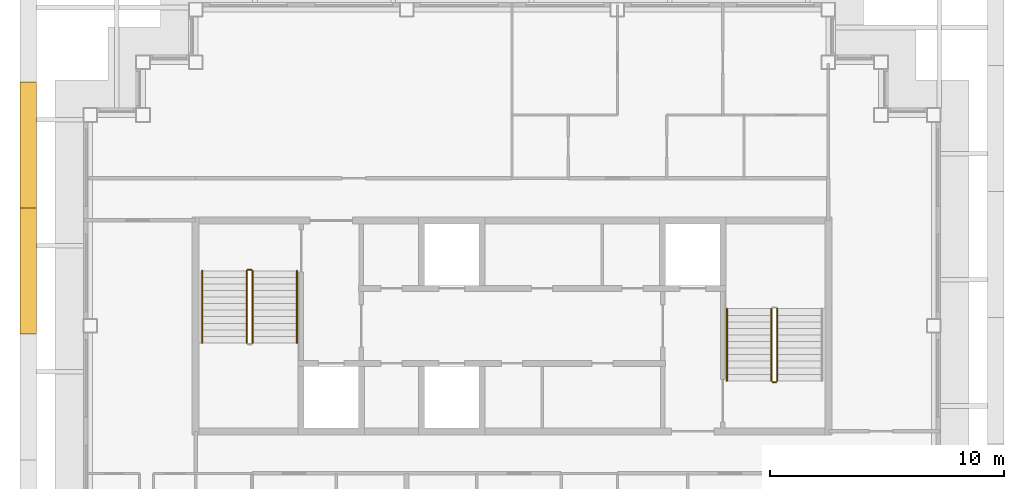
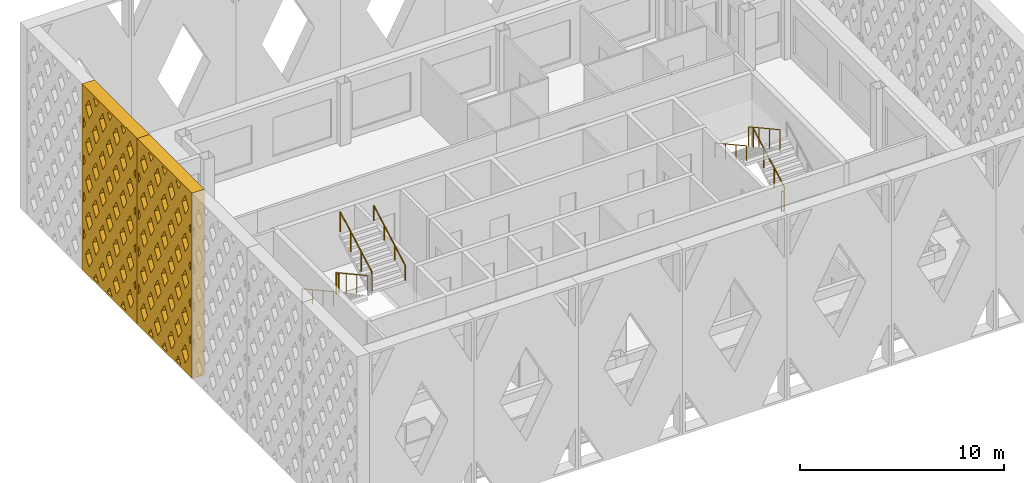
# One storey, part 10 of 13: 9 railings, 2 shading devices.
"""IFC4 building model written with IfcOpenShell, lengths in metres."""

from ifc_helpers import new_model, si_unit, direction, frame, origin, origin_2d, place, context, subcontext, project, spatial, polyline, circle, outline, extrude, material, type_object, element, save


model = new_model("IFC4")

# Units and contexts
model_context = context("Model", 3, precision=1e-05, world=origin(), true_north=direction((0.0, 1.0)))
body_context = subcontext(model_context, "Body", "Model", "MODEL_VIEW")
ifc_project = project(units=[si_unit("LENGTHUNIT", "METRE"), si_unit("AREAUNIT", "SQUARE_METRE"), si_unit("VOLUMEUNIT", "CUBIC_METRE"), si_unit("PLANEANGLEUNIT", "RADIAN"), si_unit("MASSUNIT", "GRAM", prefix="KILO")], contexts=[model_context])

# Site, building, storey
site_placement = place(None, origin())
site = spatial("IfcSite", under=ifc_project, at=site_placement, CompositionType="ELEMENT")
building_placement = place(site_placement, origin())
building = spatial("IfcBuilding", under=site, at=building_placement, Name="Caravel Reach Hotel and Residences", CompositionType="ELEMENT")
storey_placement = place(building_placement, frame((0.0, 0.0, 294.5)))
storey = spatial("IfcBuildingStorey", under=building, at=storey_placement, Name="L75", CompositionType="ELEMENT", Elevation=294.5)

# Shading devices
ifc_material_1 = material(Name="Black powder-coated aluminium", Category="aluminium")
shading_device_type = type_object("IfcShadingDeviceType", Name="Diamond lattice screen panel 5383 x 11100", PredefinedType="USERDEFINED", material=ifc_material_1)
shading_device_1_placement = place(storey_placement, frame((11.199951171875, 37.416748046875, 0.0), z_axis=(-1.0, 0.0, 0.0), x_axis=(0.0, -1.0, 0.0)))
element("IfcShadingDevice", 1, at=shading_device_1_placement, inside=storey, type_object=shading_device_type, Name="Lattice screen L75-L77 3.2", ObjectType="SCREEN", PredefinedType="USERDEFINED", context=body_context, shape_type="SweptSolid", body=[
    extrude(outline(polyline([(0.0, 0.0), (5.38330078125, 0.0), (5.38330078125, 11.10009765625), (0.0, 11.10009765625), (0.0, 0.0)]), holes=[polyline([(0.338134765625, 2.219970703125), (0.14990234375, 2.530517578125), (0.14990234375, 1.90966796875), (0.338134765625, 2.219970703125)]), polyline([(0.338134765625, 4.43994140625), (0.14990234375, 4.75048828125), (0.14990234375, 4.129638671875), (0.338134765625, 4.43994140625)]), polyline([(0.338134765625, 6.659912109375), (0.14990234375, 6.970458984375), (0.14990234375, 6.349609375), (0.338134765625, 6.659912109375)]), polyline([(0.338134765625, 8.8798828125), (0.14990234375, 9.1904296875), (0.14990234375, 8.569580078125), (0.338134765625, 8.8798828125)]), polyline([(0.6728515625, 1.667724609375), (0.334716796875, 1.110107421875), (0.6728515625, 0.55224609375), (1.010986328125, 1.110107421875), (0.6728515625, 1.667724609375)]), polyline([(0.6728515625, 3.887939453125), (0.334716796875, 3.330078125), (0.6728515625, 2.772216796875), (1.010986328125, 3.330078125), (0.6728515625, 3.887939453125)]), polyline([(0.6728515625, 6.10791015625), (0.334716796875, 5.550048828125), (0.6728515625, 4.9921875), (1.010986328125, 5.550048828125), (0.6728515625, 6.10791015625)]), polyline([(0.6728515625, 8.327880859375), (0.334716796875, 7.77001953125), (0.6728515625, 7.212158203125), (1.010986328125, 7.77001953125), (0.6728515625, 8.327880859375)]), polyline([(0.6728515625, 10.5478515625), (0.334716796875, 9.989990234375), (0.6728515625, 9.43212890625), (1.010986328125, 9.989990234375), (0.6728515625, 10.5478515625)]), polyline([(1.345947265625, 0.557861328125), (1.0986328125, 0.14990234375), (1.593017578125, 0.14990234375), (1.345947265625, 0.557861328125)]), polyline([(1.345947265625, 2.77783203125), (1.007568359375, 2.219970703125), (1.345947265625, 1.662109375), (1.68408203125, 2.219970703125), (1.345947265625, 2.77783203125)]), polyline([(1.345947265625, 4.997802734375), (1.007568359375, 4.43994140625), (1.345947265625, 3.882080078125), (1.68408203125, 4.43994140625), (1.345947265625, 4.997802734375)]), polyline([(1.345947265625, 7.2177734375), (1.007568359375, 6.659912109375), (1.345947265625, 6.10205078125), (1.68408203125, 6.659912109375), (1.345947265625, 7.2177734375)]), polyline([(1.345947265625, 9.437744140625), (1.007568359375, 8.8798828125), (1.345947265625, 8.322265625), (1.68408203125, 8.8798828125), (1.345947265625, 9.437744140625)]), polyline([(1.345947265625, 10.542236328125), (1.593017578125, 10.949951171875), (1.0986328125, 10.949951171875), (1.345947265625, 10.542236328125)]), polyline([(2.018798828125, 1.667724609375), (1.6806640625, 1.110107421875), (2.018798828125, 0.55224609375), (2.35693359375, 1.110107421875), (2.018798828125, 1.667724609375)]), polyline([(2.018798828125, 3.887939453125), (1.6806640625, 3.330078125), (2.018798828125, 2.772216796875), (2.35693359375, 3.330078125), (2.018798828125, 3.887939453125)]), polyline([(2.018798828125, 6.10791015625), (1.6806640625, 5.550048828125), (2.018798828125, 4.9921875), (2.35693359375, 5.550048828125), (2.018798828125, 6.10791015625)]), polyline([(2.018798828125, 8.327880859375), (1.6806640625, 7.77001953125), (2.018798828125, 7.212158203125), (2.35693359375, 7.77001953125), (2.018798828125, 8.327880859375)]), polyline([(2.018798828125, 10.5478515625), (1.6806640625, 9.989990234375), (2.018798828125, 9.43212890625), (2.35693359375, 9.989990234375), (2.018798828125, 10.5478515625)]), polyline([(2.691650390625, 0.557861328125), (2.4443359375, 0.14990234375), (2.93896484375, 0.14990234375), (2.691650390625, 0.557861328125)]), polyline([(2.691650390625, 2.77783203125), (2.353515625, 2.219970703125), (2.691650390625, 1.662109375), (3.02978515625, 2.219970703125), (2.691650390625, 2.77783203125)]), polyline([(2.691650390625, 4.997802734375), (2.353515625, 4.43994140625), (2.691650390625, 3.882080078125), (3.02978515625, 4.43994140625), (2.691650390625, 4.997802734375)]), polyline([(2.691650390625, 7.2177734375), (2.353515625, 6.659912109375), (2.691650390625, 6.10205078125), (3.02978515625, 6.659912109375), (2.691650390625, 7.2177734375)]), polyline([(2.691650390625, 9.437744140625), (2.353515625, 8.8798828125), (2.691650390625, 8.322265625), (3.02978515625, 8.8798828125), (2.691650390625, 9.437744140625)]), polyline([(2.691650390625, 10.542236328125), (2.93896484375, 10.949951171875), (2.4443359375, 10.949951171875), (2.691650390625, 10.542236328125)]), polyline([(3.364501953125, 1.667724609375), (3.0263671875, 1.110107421875), (3.364501953125, 0.55224609375), (3.702880859375, 1.110107421875), (3.364501953125, 1.667724609375)]), polyline([(3.364501953125, 3.887939453125), (3.0263671875, 3.330078125), (3.364501953125, 2.772216796875), (3.702880859375, 3.330078125), (3.364501953125, 3.887939453125)]), polyline([(3.364501953125, 6.10791015625), (3.0263671875, 5.550048828125), (3.364501953125, 4.9921875), (3.702880859375, 5.550048828125), (3.364501953125, 6.10791015625)]), polyline([(3.364501953125, 8.327880859375), (3.0263671875, 7.77001953125), (3.364501953125, 7.212158203125), (3.702880859375, 7.77001953125), (3.364501953125, 8.327880859375)]), polyline([(3.364501953125, 10.5478515625), (3.0263671875, 9.989990234375), (3.364501953125, 9.43212890625), (3.702880859375, 9.989990234375), (3.364501953125, 10.5478515625)]), polyline([(4.03759765625, 0.557861328125), (3.790283203125, 0.14990234375), (4.28466796875, 0.14990234375), (4.03759765625, 0.557861328125)]), polyline([(4.03759765625, 2.77783203125), (3.69921875, 2.219970703125), (4.03759765625, 1.662109375), (4.375732421875, 2.219970703125), (4.03759765625, 2.77783203125)]), polyline([(4.03759765625, 4.997802734375), (3.69921875, 4.43994140625), (4.03759765625, 3.882080078125), (4.375732421875, 4.43994140625), (4.03759765625, 4.997802734375)]), polyline([(4.03759765625, 7.2177734375), (3.69921875, 6.659912109375), (4.03759765625, 6.10205078125), (4.375732421875, 6.659912109375), (4.03759765625, 7.2177734375)]), polyline([(4.03759765625, 9.437744140625), (3.69921875, 8.8798828125), (4.03759765625, 8.322265625), (4.375732421875, 8.8798828125), (4.03759765625, 9.437744140625)]), polyline([(4.03759765625, 10.542236328125), (4.28466796875, 10.949951171875), (3.790283203125, 10.949951171875), (4.03759765625, 10.542236328125)]), polyline([(4.71044921875, 1.667724609375), (4.372314453125, 1.110107421875), (4.71044921875, 0.55224609375), (5.048583984375, 1.110107421875), (4.71044921875, 1.667724609375)]), polyline([(4.71044921875, 3.887939453125), (4.372314453125, 3.330078125), (4.71044921875, 2.772216796875), (5.048583984375, 3.330078125), (4.71044921875, 3.887939453125)]), polyline([(4.71044921875, 6.10791015625), (4.372314453125, 5.550048828125), (4.71044921875, 4.9921875), (5.048583984375, 5.550048828125), (4.71044921875, 6.10791015625)]), polyline([(4.71044921875, 8.327880859375), (4.372314453125, 7.77001953125), (4.71044921875, 7.212158203125), (5.048583984375, 7.77001953125), (4.71044921875, 8.327880859375)]), polyline([(4.71044921875, 10.5478515625), (4.372314453125, 9.989990234375), (4.71044921875, 9.43212890625), (5.048583984375, 9.989990234375), (4.71044921875, 10.5478515625)]), polyline([(5.045166015625, 2.219970703125), (5.2333984375, 1.90966796875), (5.2333984375, 2.530517578125), (5.045166015625, 2.219970703125)]), polyline([(5.045166015625, 4.43994140625), (5.2333984375, 4.129638671875), (5.2333984375, 4.75048828125), (5.045166015625, 4.43994140625)]), polyline([(5.045166015625, 6.659912109375), (5.2333984375, 6.349609375), (5.2333984375, 6.970458984375), (5.045166015625, 6.659912109375)]), polyline([(5.045166015625, 8.8798828125), (5.2333984375, 8.569580078125), (5.2333984375, 9.1904296875), (5.045166015625, 8.8798828125)])]), origin(), (0.0, 0.0, 1.0), 0.699951171875),
])
shading_device_2_placement = place(storey_placement, frame((11.199951171875, 32.033447265625, 0.0), z_axis=(-1.0, 0.0, 0.0), x_axis=(0.0, -1.0, 0.0)))
element("IfcShadingDevice", 2, at=shading_device_2_placement, inside=storey, type_object=shading_device_type, Name="Lattice screen L75-L77 3.3", ObjectType="SCREEN", PredefinedType="USERDEFINED", context=body_context, shape_type="SweptSolid", body=[
    extrude(outline(polyline([(0.0, 0.0), (5.38330078125, 0.0), (5.38330078125, 11.10009765625), (0.0, 11.10009765625), (0.0, 0.0)]), holes=[polyline([(0.338134765625, 2.219970703125), (0.14990234375, 2.530517578125), (0.14990234375, 1.90966796875), (0.338134765625, 2.219970703125)]), polyline([(0.338134765625, 4.43994140625), (0.14990234375, 4.75048828125), (0.14990234375, 4.129638671875), (0.338134765625, 4.43994140625)]), polyline([(0.338134765625, 6.659912109375), (0.14990234375, 6.970458984375), (0.14990234375, 6.349609375), (0.338134765625, 6.659912109375)]), polyline([(0.338134765625, 8.8798828125), (0.14990234375, 9.1904296875), (0.14990234375, 8.569580078125), (0.338134765625, 8.8798828125)]), polyline([(0.6728515625, 1.667724609375), (0.334716796875, 1.110107421875), (0.6728515625, 0.55224609375), (1.010986328125, 1.110107421875), (0.6728515625, 1.667724609375)]), polyline([(0.6728515625, 3.887939453125), (0.334716796875, 3.330078125), (0.6728515625, 2.772216796875), (1.010986328125, 3.330078125), (0.6728515625, 3.887939453125)]), polyline([(0.6728515625, 6.10791015625), (0.334716796875, 5.550048828125), (0.6728515625, 4.9921875), (1.010986328125, 5.550048828125), (0.6728515625, 6.10791015625)]), polyline([(0.6728515625, 8.327880859375), (0.334716796875, 7.77001953125), (0.6728515625, 7.212158203125), (1.010986328125, 7.77001953125), (0.6728515625, 8.327880859375)]), polyline([(0.6728515625, 10.5478515625), (0.334716796875, 9.989990234375), (0.6728515625, 9.43212890625), (1.010986328125, 9.989990234375), (0.6728515625, 10.5478515625)]), polyline([(1.345947265625, 0.557861328125), (1.0986328125, 0.14990234375), (1.593017578125, 0.14990234375), (1.345947265625, 0.557861328125)]), polyline([(1.345947265625, 2.77783203125), (1.007568359375, 2.219970703125), (1.345947265625, 1.662109375), (1.68408203125, 2.219970703125), (1.345947265625, 2.77783203125)]), polyline([(1.345947265625, 4.997802734375), (1.007568359375, 4.43994140625), (1.345947265625, 3.882080078125), (1.68408203125, 4.43994140625), (1.345947265625, 4.997802734375)]), polyline([(1.345947265625, 7.2177734375), (1.007568359375, 6.659912109375), (1.345947265625, 6.10205078125), (1.68408203125, 6.659912109375), (1.345947265625, 7.2177734375)]), polyline([(1.345947265625, 9.437744140625), (1.007568359375, 8.8798828125), (1.345947265625, 8.322265625), (1.68408203125, 8.8798828125), (1.345947265625, 9.437744140625)]), polyline([(1.345947265625, 10.542236328125), (1.593017578125, 10.949951171875), (1.0986328125, 10.949951171875), (1.345947265625, 10.542236328125)]), polyline([(2.018798828125, 1.667724609375), (1.6806640625, 1.110107421875), (2.018798828125, 0.55224609375), (2.35693359375, 1.110107421875), (2.018798828125, 1.667724609375)]), polyline([(2.018798828125, 3.887939453125), (1.6806640625, 3.330078125), (2.018798828125, 2.772216796875), (2.35693359375, 3.330078125), (2.018798828125, 3.887939453125)]), polyline([(2.018798828125, 6.10791015625), (1.6806640625, 5.550048828125), (2.018798828125, 4.9921875), (2.35693359375, 5.550048828125), (2.018798828125, 6.10791015625)]), polyline([(2.018798828125, 8.327880859375), (1.6806640625, 7.77001953125), (2.018798828125, 7.212158203125), (2.35693359375, 7.77001953125), (2.018798828125, 8.327880859375)]), polyline([(2.018798828125, 10.5478515625), (1.6806640625, 9.989990234375), (2.018798828125, 9.43212890625), (2.35693359375, 9.989990234375), (2.018798828125, 10.5478515625)]), polyline([(2.691650390625, 0.557861328125), (2.4443359375, 0.14990234375), (2.93896484375, 0.14990234375), (2.691650390625, 0.557861328125)]), polyline([(2.691650390625, 2.77783203125), (2.353515625, 2.219970703125), (2.691650390625, 1.662109375), (3.02978515625, 2.219970703125), (2.691650390625, 2.77783203125)]), polyline([(2.691650390625, 4.997802734375), (2.353515625, 4.43994140625), (2.691650390625, 3.882080078125), (3.02978515625, 4.43994140625), (2.691650390625, 4.997802734375)]), polyline([(2.691650390625, 7.2177734375), (2.353515625, 6.659912109375), (2.691650390625, 6.10205078125), (3.02978515625, 6.659912109375), (2.691650390625, 7.2177734375)]), polyline([(2.691650390625, 9.437744140625), (2.353515625, 8.8798828125), (2.691650390625, 8.322265625), (3.02978515625, 8.8798828125), (2.691650390625, 9.437744140625)]), polyline([(2.691650390625, 10.542236328125), (2.93896484375, 10.949951171875), (2.4443359375, 10.949951171875), (2.691650390625, 10.542236328125)]), polyline([(3.364501953125, 1.667724609375), (3.0263671875, 1.110107421875), (3.364501953125, 0.55224609375), (3.702880859375, 1.110107421875), (3.364501953125, 1.667724609375)]), polyline([(3.364501953125, 3.887939453125), (3.0263671875, 3.330078125), (3.364501953125, 2.772216796875), (3.702880859375, 3.330078125), (3.364501953125, 3.887939453125)]), polyline([(3.364501953125, 6.10791015625), (3.0263671875, 5.550048828125), (3.364501953125, 4.9921875), (3.702880859375, 5.550048828125), (3.364501953125, 6.10791015625)]), polyline([(3.364501953125, 8.327880859375), (3.0263671875, 7.77001953125), (3.364501953125, 7.212158203125), (3.702880859375, 7.77001953125), (3.364501953125, 8.327880859375)]), polyline([(3.364501953125, 10.5478515625), (3.0263671875, 9.989990234375), (3.364501953125, 9.43212890625), (3.702880859375, 9.989990234375), (3.364501953125, 10.5478515625)]), polyline([(4.03759765625, 0.557861328125), (3.790283203125, 0.14990234375), (4.28466796875, 0.14990234375), (4.03759765625, 0.557861328125)]), polyline([(4.03759765625, 2.77783203125), (3.69921875, 2.219970703125), (4.03759765625, 1.662109375), (4.375732421875, 2.219970703125), (4.03759765625, 2.77783203125)]), polyline([(4.03759765625, 4.997802734375), (3.69921875, 4.43994140625), (4.03759765625, 3.882080078125), (4.375732421875, 4.43994140625), (4.03759765625, 4.997802734375)]), polyline([(4.03759765625, 7.2177734375), (3.69921875, 6.659912109375), (4.03759765625, 6.10205078125), (4.375732421875, 6.659912109375), (4.03759765625, 7.2177734375)]), polyline([(4.03759765625, 9.437744140625), (3.69921875, 8.8798828125), (4.03759765625, 8.322265625), (4.375732421875, 8.8798828125), (4.03759765625, 9.437744140625)]), polyline([(4.03759765625, 10.542236328125), (4.28466796875, 10.949951171875), (3.790283203125, 10.949951171875), (4.03759765625, 10.542236328125)]), polyline([(4.71044921875, 1.667724609375), (4.372314453125, 1.110107421875), (4.71044921875, 0.55224609375), (5.048583984375, 1.110107421875), (4.71044921875, 1.667724609375)]), polyline([(4.71044921875, 3.887939453125), (4.372314453125, 3.330078125), (4.71044921875, 2.772216796875), (5.048583984375, 3.330078125), (4.71044921875, 3.887939453125)]), polyline([(4.71044921875, 6.10791015625), (4.372314453125, 5.550048828125), (4.71044921875, 4.9921875), (5.048583984375, 5.550048828125), (4.71044921875, 6.10791015625)]), polyline([(4.71044921875, 8.327880859375), (4.372314453125, 7.77001953125), (4.71044921875, 7.212158203125), (5.048583984375, 7.77001953125), (4.71044921875, 8.327880859375)]), polyline([(4.71044921875, 10.5478515625), (4.372314453125, 9.989990234375), (4.71044921875, 9.43212890625), (5.048583984375, 9.989990234375), (4.71044921875, 10.5478515625)]), polyline([(5.045166015625, 2.219970703125), (5.2333984375, 1.90966796875), (5.2333984375, 2.530517578125), (5.045166015625, 2.219970703125)]), polyline([(5.045166015625, 4.43994140625), (5.2333984375, 4.129638671875), (5.2333984375, 4.75048828125), (5.045166015625, 4.43994140625)]), polyline([(5.045166015625, 6.659912109375), (5.2333984375, 6.349609375), (5.2333984375, 6.970458984375), (5.045166015625, 6.659912109375)]), polyline([(5.045166015625, 8.8798828125), (5.2333984375, 8.569580078125), (5.2333984375, 9.1904296875), (5.045166015625, 8.8798828125)])]), origin(), (0.0, 0.0, 1.0), 0.699951171875),
])

# Railings
ifc_material_2 = material(Name="Steel balustrade with glass infill", Category="steel")
railing_type_1 = type_object("IfcRailingType", Name="Guard 1200", PredefinedType="GUARDRAIL", material=ifc_material_2)
railing_1_placement = place(storey_placement, frame((20.175048828125, 29.35009765625, 0.154052734375)))
element("IfcRailing", 3, at=railing_1_placement, inside=storey, type_object=railing_type_1, Name="L75 ST-A stair guard 1", PredefinedType="GUARDRAIL", context=body_context, shape_type="SweptSolid", body=[
    extrude(circle(Radius=0.02392578125, at=origin_2d()), frame((0.0, 0.0, 1.17578125), z_axis=(0.0, -0.875975380505, 0.482355815502), x_axis=(1.0, 0.0, 0.0)), (0.0, 0.0, 1.0), 3.51611328125),
    extrude(circle(Radius=0.02099609375, at=origin_2d()), origin(), (0.0, 0.0, 1.0), 1.15185546875),
    extrude(circle(Radius=0.02099609375, at=origin_2d()), frame((0.0, -1.026611328125, 0.5654296875)), (0.0, 0.0, 1.0), 1.15185546875),
    extrude(circle(Radius=0.02099609375, at=origin_2d()), frame((0.0, -2.053466796875, 1.130615234375)), (0.0, 0.0, 1.0), 1.15185546875),
    extrude(circle(Radius=0.02099609375, at=origin_2d()), frame((0.0, -3.080078125, 1.696044921875)), (0.0, 0.0, 1.0), 1.15185546875),
])
railing_2_placement = place(storey_placement, frame((20.425048828125, 26.27001953125, 2.004150390625)))
element("IfcRailing", 4, at=railing_2_placement, inside=storey, type_object=railing_type_1, Name="L75 ST-A stair guard 3", PredefinedType="GUARDRAIL", context=body_context, shape_type="SweptSolid", body=[
    extrude(circle(Radius=0.02392578125, at=origin_2d()), frame((0.0, 0.0, 1.17578125), z_axis=(0.0, 0.876004717809, 0.482302534076), x_axis=(-1.0, 0.0, 0.0)), (0.0, 0.0, 1.0), 3.51611328125),
    extrude(circle(Radius=0.02099609375, at=origin_2d()), origin(), (0.0, 0.0, 1.0), 1.15185546875),
    extrude(circle(Radius=0.02099609375, at=origin_2d()), frame((0.0, 1.026611328125, 0.565185546875)), (0.0, 0.0, 1.0), 1.15185546875),
    extrude(circle(Radius=0.02099609375, at=origin_2d()), frame((0.0, 2.053466796875, 1.130615234375)), (0.0, 0.0, 1.0), 1.15185546875),
    extrude(circle(Radius=0.02099609375, at=origin_2d()), frame((0.0, 3.080078125, 1.69580078125)), (0.0, 0.0, 1.0), 1.15185546875),
])
railing_3_placement = place(storey_placement, frame((20.22509765625, 29.39990234375, 0.0)))
element("IfcRailing", 5, at=railing_3_placement, inside=storey, type_object=railing_type_1, Name="L75 ST-A stair guard 4", PredefinedType="GUARDRAIL", context=body_context, shape_type="SweptSolid", body=[
    extrude(circle(Radius=0.02392578125, at=origin_2d()), frame((0.0, 0.0, 1.17578125), z_axis=(1.0, 0.0, 0.0), x_axis=(0.0, 1.0, 0.0)), (0.0, 0.0, 1.0), 0.14990234375),
    extrude(circle(Radius=0.02099609375, at=origin_2d()), origin(), (0.0, 0.0, 1.0), 1.15185546875),
    extrude(circle(Radius=0.02099609375, at=origin_2d()), frame((0.14990234375, 0.0, 0.0)), (0.0, 0.0, 1.0), 1.15185546875),
])
railing_4_placement = place(storey_placement, frame((42.824951171875, 24.64990234375, 0.154052734375)))
element("IfcRailing", 6, at=railing_4_placement, inside=storey, type_object=railing_type_1, Name="L75 ST-B stair guard 1", PredefinedType="GUARDRAIL", context=body_context, shape_type="SweptSolid", body=[
    extrude(circle(Radius=0.02392578125, at=origin_2d()), frame((0.0, 0.0, 1.17578125), z_axis=(0.0, 0.875975380505, 0.482355815502), x_axis=(-1.0, 0.0, 0.0)), (0.0, 0.0, 1.0), 3.51611328125),
    extrude(circle(Radius=0.02099609375, at=origin_2d()), origin(), (0.0, 0.0, 1.0), 1.15185546875),
    extrude(circle(Radius=0.02099609375, at=origin_2d()), frame((0.0, 1.026611328125, 0.5654296875)), (0.0, 0.0, 1.0), 1.15185546875),
    extrude(circle(Radius=0.02099609375, at=origin_2d()), frame((0.0, 2.053466796875, 1.130615234375)), (0.0, 0.0, 1.0), 1.15185546875),
    extrude(circle(Radius=0.02099609375, at=origin_2d()), frame((0.0, 3.080078125, 1.696044921875)), (0.0, 0.0, 1.0), 1.15185546875),
])
railing_5_placement = place(storey_placement, frame((42.574951171875, 27.72998046875, 2.004150390625)))
element("IfcRailing", 7, at=railing_5_placement, inside=storey, type_object=railing_type_1, Name="L75 ST-B stair guard 3", PredefinedType="GUARDRAIL", context=body_context, shape_type="SweptSolid", body=[
    extrude(circle(Radius=0.02392578125, at=origin_2d()), frame((0.0, 0.0, 1.17578125), z_axis=(0.0, -0.876004717809, 0.482302534076), x_axis=(1.0, 0.0, 0.0)), (0.0, 0.0, 1.0), 3.51611328125),
    extrude(circle(Radius=0.02099609375, at=origin_2d()), origin(), (0.0, 0.0, 1.0), 1.15185546875),
    extrude(circle(Radius=0.02099609375, at=origin_2d()), frame((0.0, -1.026611328125, 0.565185546875)), (0.0, 0.0, 1.0), 1.15185546875),
    extrude(circle(Radius=0.02099609375, at=origin_2d()), frame((0.0, -2.053466796875, 1.130615234375)), (0.0, 0.0, 1.0), 1.15185546875),
    extrude(circle(Radius=0.02099609375, at=origin_2d()), frame((0.0, -3.080078125, 1.69580078125)), (0.0, 0.0, 1.0), 1.15185546875),
])
railing_6_placement = place(storey_placement, frame((42.77490234375, 24.60009765625, 0.0)))
element("IfcRailing", 8, at=railing_6_placement, inside=storey, type_object=railing_type_1, Name="L75 ST-B stair guard 4", PredefinedType="GUARDRAIL", context=body_context, shape_type="SweptSolid", body=[
    extrude(circle(Radius=0.02392578125, at=origin_2d()), frame((0.0, 0.0, 1.17578125), z_axis=(-1.0, 0.0, 0.0), x_axis=(0.0, -1.0, 0.0)), (0.0, 0.0, 1.0), 0.14990234375),
    extrude(circle(Radius=0.02099609375, at=origin_2d()), origin(), (0.0, 0.0, 1.0), 1.15185546875),
    extrude(circle(Radius=0.02099609375, at=origin_2d()), frame((-0.14990234375, 0.0, 0.0)), (0.0, 0.0, 1.0), 1.15185546875),
])
ifc_material_3 = material(Name="Stainless steel handrail", Category="steel")
railing_type_2 = type_object("IfcRailingType", Name="Handrail 900", PredefinedType="HANDRAIL", material=ifc_material_3)
railing_7_placement = place(storey_placement, frame((18.27490234375, 29.35009765625, 0.154052734375)))
element("IfcRailing", 9, at=railing_7_placement, inside=storey, type_object=railing_type_2, Name="L75 ST-A stair handrail 1", PredefinedType="HANDRAIL", context=body_context, shape_type="SweptSolid", body=[
    extrude(circle(Radius=0.02392578125, at=origin_2d()), frame((0.0, 0.0, 0.8759765625), z_axis=(0.0, -0.875975380505, 0.482355815502), x_axis=(1.0, 0.0, 0.0)), (0.0, 0.0, 1.0), 3.51611328125),
    extrude(circle(Radius=0.02099609375, at=origin_2d()), origin(), (0.0, 0.0, 1.0), 0.851806640625),
    extrude(circle(Radius=0.02099609375, at=origin_2d()), frame((0.0, -1.026611328125, 0.5654296875)), (0.0, 0.0, 1.0), 0.851806640625),
    extrude(circle(Radius=0.02099609375, at=origin_2d()), frame((0.0, -2.053466796875, 1.130615234375)), (0.0, 0.0, 1.0), 0.851806640625),
    extrude(circle(Radius=0.02099609375, at=origin_2d()), frame((0.0, -3.080078125, 1.696044921875)), (0.0, 0.0, 1.0), 0.851806640625),
])
railing_8_placement = place(storey_placement, frame((22.324951171875, 26.27001953125, 2.004150390625)))
element("IfcRailing", 10, at=railing_8_placement, inside=storey, type_object=railing_type_2, Name="L75 ST-A stair handrail 2", PredefinedType="HANDRAIL", context=body_context, shape_type="SweptSolid", body=[
    extrude(circle(Radius=0.02392578125, at=origin_2d()), frame((0.0, 0.0, 0.8759765625), z_axis=(0.0, 0.876004717809, 0.482302534076), x_axis=(-1.0, 0.0, 0.0)), (0.0, 0.0, 1.0), 3.51611328125),
    extrude(circle(Radius=0.02099609375, at=origin_2d()), origin(), (0.0, 0.0, 1.0), 0.851806640625),
    extrude(circle(Radius=0.02099609375, at=origin_2d()), frame((0.0, 1.026611328125, 0.565185546875)), (0.0, 0.0, 1.0), 0.851806640625),
    extrude(circle(Radius=0.02099609375, at=origin_2d()), frame((0.0, 2.053466796875, 1.130615234375)), (0.0, 0.0, 1.0), 0.851806640625),
    extrude(circle(Radius=0.02099609375, at=origin_2d()), frame((0.0, 3.080078125, 1.69580078125)), (0.0, 0.0, 1.0), 0.851806640625),
])
railing_9_placement = place(storey_placement, frame((40.675048828125, 27.72998046875, 2.004150390625)))
element("IfcRailing", 11, at=railing_9_placement, inside=storey, type_object=railing_type_2, Name="L75 ST-B stair handrail 2", PredefinedType="HANDRAIL", context=body_context, shape_type="SweptSolid", body=[
    extrude(circle(Radius=0.02392578125, at=origin_2d()), frame((0.0, 0.0, 0.8759765625), z_axis=(0.0, -0.876004717809, 0.482302534076), x_axis=(1.0, 0.0, 0.0)), (0.0, 0.0, 1.0), 3.51611328125),
    extrude(circle(Radius=0.02099609375, at=origin_2d()), origin(), (0.0, 0.0, 1.0), 0.851806640625),
    extrude(circle(Radius=0.02099609375, at=origin_2d()), frame((0.0, -1.026611328125, 0.565185546875)), (0.0, 0.0, 1.0), 0.851806640625),
    extrude(circle(Radius=0.02099609375, at=origin_2d()), frame((0.0, -2.053466796875, 1.130615234375)), (0.0, 0.0, 1.0), 0.851806640625),
    extrude(circle(Radius=0.02099609375, at=origin_2d()), frame((0.0, -3.080078125, 1.69580078125)), (0.0, 0.0, 1.0), 0.851806640625),
])

save(model, "model.ifc")
